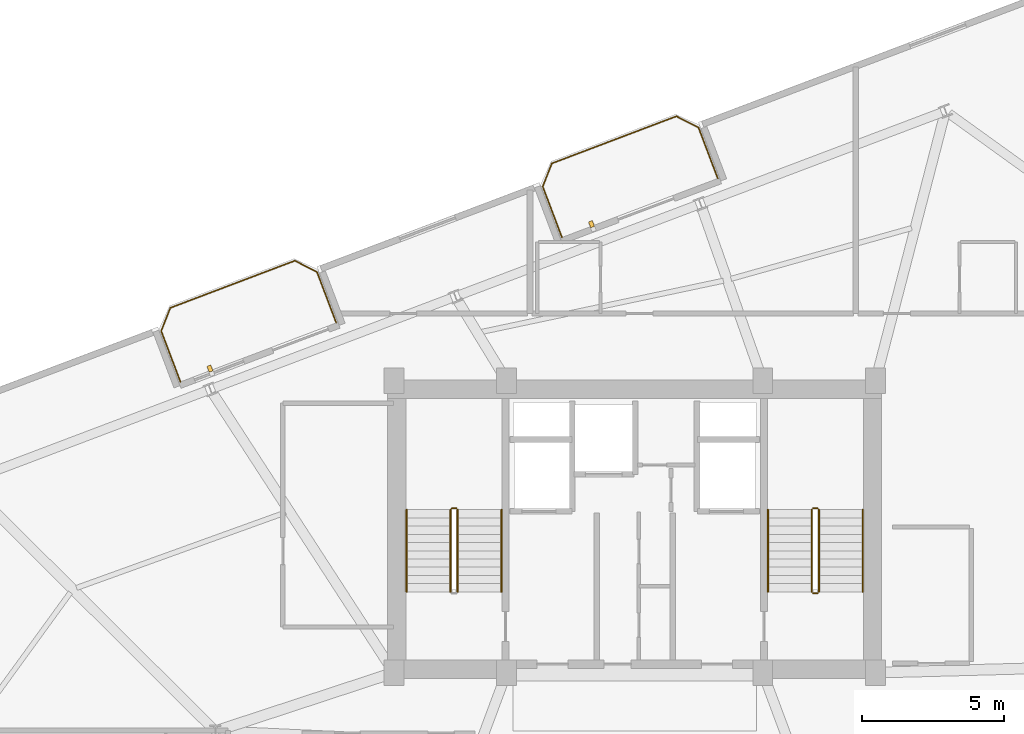
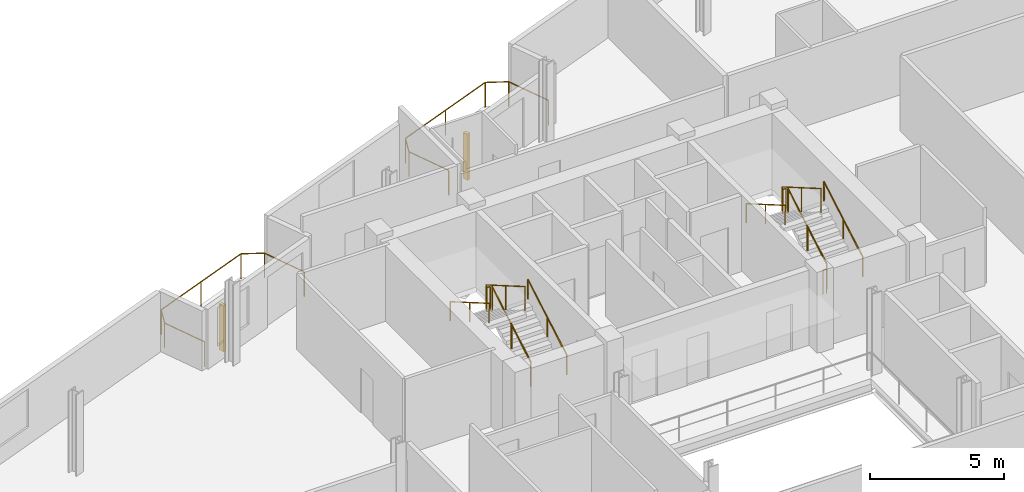
# One storey, part 20 of 20: 13 railings, 2 shading devices.
"""IFC4 building model written with IfcOpenShell, lengths in metres."""

from ifc_helpers import new_model, si_unit, direction, frame, origin, origin_2d, place, context, subcontext, project, spatial, rectangle, circle, extrude, source, transform, mapped, material, type_object, element, save


model = new_model("IFC4")

# Units and contexts
model_context = context("Model", 3, precision=1e-05, world=origin(), true_north=direction((0.0, 1.0)))
body_context = subcontext(model_context, "Body", "Model", "MODEL_VIEW")
ifc_project = project(units=[si_unit("LENGTHUNIT", "METRE"), si_unit("AREAUNIT", "SQUARE_METRE"), si_unit("VOLUMEUNIT", "CUBIC_METRE"), si_unit("PLANEANGLEUNIT", "RADIAN"), si_unit("MASSUNIT", "GRAM", prefix="KILO")], contexts=[model_context])

# Site, building, storey
site_placement = place(None, origin())
site = spatial("IfcSite", under=ifc_project, at=site_placement, CompositionType="ELEMENT")
building_placement = place(site_placement, origin())
building = spatial("IfcBuilding", under=site, at=building_placement, Name="Varnelok Gate Tower", CompositionType="ELEMENT")
storey_placement = place(building_placement, frame((0.0, 0.0, 216.39990234375)))
storey = spatial("IfcBuildingStorey", under=building, at=storey_placement, Name="L55", CompositionType="ELEMENT", Elevation=216.39990234375)

# Railings
ifc_material_1 = material(Name="Low-E Laminated Double Glazing IGU", Category="glass")
railing_type_1 = type_object("IfcRailingType", Name="RL-BALC-1150", PredefinedType="BALUSTRADE", material=ifc_material_1)
railing_1_placement = place(storey_placement, frame((23.166748046875, 39.011474609375, 0.0)))
element("IfcRailing", 1, at=railing_1_placement, inside=storey, type_object=railing_type_1, Name="L55 North Terrace Balustrade 3", PredefinedType="BALUSTRADE", context=body_context, shape_type="SweptSolid", body=[
    extrude(circle(Radius=0.02392578125, at=origin_2d()), frame((0.0, 0.0, 1.1259765625), z_axis=(-0.354159661475, 0.935184973245, 0.0), x_axis=(-0.935184973245, -0.354159661475, 0.0)), (0.0, 0.0, 1.0), 1.919921875),
    extrude(circle(Radius=0.02392578125, at=origin_2d()), frame((-0.679931640625, 1.79541015625, 1.1259765625), z_axis=(0.366495340819, 0.93041988648, 0.0), x_axis=(-0.93041988648, 0.366495340819, 0.0)), (0.0, 0.0, 1.0), 0.8779296875),
    extrude(circle(Radius=0.02392578125, at=origin_2d()), frame((-0.358154296875, 2.6123046875, 1.1259765625), z_axis=(0.935223045203, 0.354059113314, 0.0), x_axis=(-0.354059113314, 0.935223045203, 0.0)), (0.0, 0.0, 1.0), 4.699951171875),
    extrude(circle(Radius=0.02392578125, at=origin_2d()), frame((4.037353515625, 4.2763671875, 1.1259765625), z_axis=(0.89078254773, -0.454429810487, 0.0), x_axis=(0.454429810487, 0.89078254773, 0.0)), (0.0, 0.0, 1.0), 0.8779296875),
    extrude(circle(Radius=0.02392578125, at=origin_2d()), frame((4.8193359375, 3.87744140625, 1.1259765625), z_axis=(0.354006333352, -0.935243025073, 0.0), x_axis=(0.935243025073, 0.354006333352, 0.0)), (0.0, 0.0, 1.0), 1.919921875),
    extrude(circle(Radius=0.02099609375, at=origin_2d()), origin(), (0.0, 0.0, 1.0), 1.101806640625),
    extrude(circle(Radius=0.02099609375, at=origin_2d()), frame((-0.679931640625, 1.79541015625, 0.0)), (0.0, 0.0, 1.0), 1.101806640625),
    extrude(circle(Radius=0.02099609375, at=origin_2d()), frame((-0.358154296875, 2.6123046875, 0.0)), (0.0, 0.0, 1.0), 1.101806640625),
    extrude(circle(Radius=0.02099609375, at=origin_2d()), frame((1.839599609375, 3.4443359375, 0.0)), (0.0, 0.0, 1.0), 1.101806640625),
    extrude(circle(Radius=0.02099609375, at=origin_2d()), frame((4.037353515625, 4.2763671875, 0.0)), (0.0, 0.0, 1.0), 1.101806640625),
    extrude(circle(Radius=0.02099609375, at=origin_2d()), frame((4.8193359375, 3.87744140625, 0.0)), (0.0, 0.0, 1.0), 1.101806640625),
    extrude(circle(Radius=0.02099609375, at=origin_2d()), frame((5.4990234375, 2.081787109375, 0.0)), (0.0, 0.0, 1.0), 1.101806640625),
])
railing_2_placement = place(storey_placement, frame((36.6337890625, 44.10986328125, 0.0)))
element("IfcRailing", 2, at=railing_2_placement, inside=storey, type_object=railing_type_1, Name="L55 North Terrace Balustrade 4", PredefinedType="BALUSTRADE", context=body_context, shape_type="SweptSolid", body=[
    extrude(circle(Radius=0.02392578125, at=origin_2d()), frame((0.0, 0.0, 1.1259765625), z_axis=(-0.354006333352, 0.935243025073, 0.0), x_axis=(-0.935243025073, -0.354006333352, 0.0)), (0.0, 0.0, 1.0), 1.919921875),
    extrude(circle(Radius=0.02392578125, at=origin_2d()), frame((-0.6796875, 1.795654296875, 1.1259765625), z_axis=(0.366254584666, 0.930514685113, 0.0), x_axis=(-0.930514685113, 0.366254584666, 0.0)), (0.0, 0.0, 1.0), 0.8779296875),
    extrude(circle(Radius=0.02392578125, at=origin_2d()), frame((-0.358154296875, 2.612548828125, 1.1259765625), z_axis=(0.935229556479, 0.354041913744, 0.0), x_axis=(-0.354041913744, 0.935229556479, 0.0)), (0.0, 0.0, 1.0), 4.7001953125),
    extrude(circle(Radius=0.02392578125, at=origin_2d()), frame((4.03759765625, 4.276611328125, 1.1259765625), z_axis=(0.890612455555, -0.454763074589, 0.0), x_axis=(0.454763074589, 0.890612455555, 0.0)), (0.0, 0.0, 1.0), 0.877685546875),
    extrude(circle(Radius=0.02392578125, at=origin_2d()), frame((4.8193359375, 3.87744140625, 1.1259765625), z_axis=(0.354159661475, -0.935184973245, 0.0), x_axis=(0.935184973245, 0.354159661475, 0.0)), (0.0, 0.0, 1.0), 1.919921875),
    extrude(circle(Radius=0.02099609375, at=origin_2d()), origin(), (0.0, 0.0, 1.0), 1.101806640625),
    extrude(circle(Radius=0.02099609375, at=origin_2d()), frame((-0.6796875, 1.795654296875, 0.0)), (0.0, 0.0, 1.0), 1.101806640625),
    extrude(circle(Radius=0.02099609375, at=origin_2d()), frame((-0.358154296875, 2.612548828125, 0.0)), (0.0, 0.0, 1.0), 1.101806640625),
    extrude(circle(Radius=0.02099609375, at=origin_2d()), frame((1.83984375, 3.444580078125, 0.0)), (0.0, 0.0, 1.0), 1.101806640625),
    extrude(circle(Radius=0.02099609375, at=origin_2d()), frame((4.03759765625, 4.276611328125, 0.0)), (0.0, 0.0, 1.0), 1.101806640625),
    extrude(circle(Radius=0.02099609375, at=origin_2d()), frame((4.8193359375, 3.87744140625, 0.0)), (0.0, 0.0, 1.0), 1.101806640625),
    extrude(circle(Radius=0.02099609375, at=origin_2d()), frame((5.499267578125, 2.08203125, 0.0)), (0.0, 0.0, 1.0), 1.101806640625),
])
ifc_material_2 = material(Name="Brushed Stainless Steel AISI 316", Category="steel")
railing_type_2 = type_object("IfcRailingType", Name="RL-HANDRAIL-900", PredefinedType="HANDRAIL", material=ifc_material_2)
railing_3_placement = place(storey_placement, frame((34.5, 31.60009765625, 0.168212890625)))
element("IfcRailing", 3, at=railing_3_placement, inside=storey, type_object=railing_type_2, Name="L55 ST-1 stair handrail 1", PredefinedType="HANDRAIL", context=body_context, shape_type="SweptSolid", body=[
    extrude(circle(Radius=0.02392578125, at=origin_2d()), frame((0.0, 0.0, 0.8759765625), z_axis=(0.0, 0.865038774852, 0.501705010941), x_axis=(-1.0, 0.0, 0.0)), (0.0, 0.0, 1.0), 3.352294921875),
    extrude(circle(Radius=0.02099609375, at=origin_2d()), origin(), (0.0, 0.0, 1.0), 0.851806640625),
    extrude(circle(Radius=0.02099609375, at=origin_2d()), frame((0.0, 1.449951171875, 0.8408203125)), (0.0, 0.0, 1.0), 0.851806640625),
    extrude(circle(Radius=0.02099609375, at=origin_2d()), frame((0.0, 2.89990234375, 1.681884765625)), (0.0, 0.0, 1.0), 0.851806640625),
])
railing_4_placement = place(storey_placement, frame((31.14990234375, 34.5, 2.018310546875)))
element("IfcRailing", 4, at=railing_4_placement, inside=storey, type_object=railing_type_2, Name="L55 ST-1 stair handrail 2", PredefinedType="HANDRAIL", context=body_context, shape_type="SweptSolid", body=[
    extrude(circle(Radius=0.02392578125, at=origin_2d()), frame((0.0, 0.0, 0.8759765625), z_axis=(0.0, -0.865038774852, 0.501705010941), x_axis=(1.0, 0.0, 0.0)), (0.0, 0.0, 1.0), 3.352294921875),
    extrude(circle(Radius=0.02099609375, at=origin_2d()), origin(), (0.0, 0.0, 1.0), 0.851806640625),
    extrude(circle(Radius=0.02099609375, at=origin_2d()), frame((0.0, -1.449951171875, 0.8408203125)), (0.0, 0.0, 1.0), 0.851806640625),
    extrude(circle(Radius=0.02099609375, at=origin_2d()), frame((0.0, -2.89990234375, 1.681884765625)), (0.0, 0.0, 1.0), 0.851806640625),
])
railing_5_placement = place(storey_placement, frame((47.25, 31.60009765625, 0.168212890625)))
element("IfcRailing", 5, at=railing_5_placement, inside=storey, type_object=railing_type_2, Name="L55 ST-2 stair handrail 1", PredefinedType="HANDRAIL", context=body_context, shape_type="SweptSolid", body=[
    extrude(circle(Radius=0.02392578125, at=origin_2d()), frame((0.0, 0.0, 0.8759765625), z_axis=(0.0, 0.865038774852, 0.501705010941), x_axis=(-1.0, 0.0, 0.0)), (0.0, 0.0, 1.0), 3.352294921875),
    extrude(circle(Radius=0.02099609375, at=origin_2d()), origin(), (0.0, 0.0, 1.0), 0.851806640625),
    extrude(circle(Radius=0.02099609375, at=origin_2d()), frame((0.0, 1.449951171875, 0.8408203125)), (0.0, 0.0, 1.0), 0.851806640625),
    extrude(circle(Radius=0.02099609375, at=origin_2d()), frame((0.0, 2.89990234375, 1.681884765625)), (0.0, 0.0, 1.0), 0.851806640625),
])
railing_6_placement = place(storey_placement, frame((43.89990234375, 34.5, 2.018310546875)))
element("IfcRailing", 6, at=railing_6_placement, inside=storey, type_object=railing_type_2, Name="L55 ST-2 stair handrail 2", PredefinedType="HANDRAIL", context=body_context, shape_type="SweptSolid", body=[
    extrude(circle(Radius=0.02392578125, at=origin_2d()), frame((0.0, 0.0, 0.8759765625), z_axis=(0.0, -0.865038774852, 0.501705010941), x_axis=(1.0, 0.0, 0.0)), (0.0, 0.0, 1.0), 3.352294921875),
    extrude(circle(Radius=0.02099609375, at=origin_2d()), origin(), (0.0, 0.0, 1.0), 0.851806640625),
    extrude(circle(Radius=0.02099609375, at=origin_2d()), frame((0.0, -1.449951171875, 0.8408203125)), (0.0, 0.0, 1.0), 0.851806640625),
    extrude(circle(Radius=0.02099609375, at=origin_2d()), frame((0.0, -2.89990234375, 1.681884765625)), (0.0, 0.0, 1.0), 0.851806640625),
])
ifc_material_3 = material(Name="Galvanized Steel Grade S350GD", Category="steel")
railing_type_3 = type_object("IfcRailingType", Name="RL-STAIR-GUARD1120", PredefinedType="GUARDRAIL", material=ifc_material_3)
railing_7_placement = place(storey_placement, frame((32.949951171875, 31.60009765625, 0.168212890625)))
element("IfcRailing", 7, at=railing_7_placement, inside=storey, type_object=railing_type_3, Name="L55 ST-1 stair guard 1", PredefinedType="GUARDRAIL", context=body_context, shape_type="SweptSolid", body=[
    extrude(circle(Radius=0.02392578125, at=origin_2d()), frame((0.0, 0.0, 1.09619140625), z_axis=(0.0, 0.865038774852, 0.501705010941), x_axis=(-1.0, 0.0, 0.0)), (0.0, 0.0, 1.0), 3.352294921875),
    extrude(circle(Radius=0.02099609375, at=origin_2d()), origin(), (0.0, 0.0, 1.0), 1.072021484375),
    extrude(circle(Radius=0.02099609375, at=origin_2d()), frame((0.0, 1.449951171875, 0.8408203125)), (0.0, 0.0, 1.0), 1.072021484375),
    extrude(circle(Radius=0.02099609375, at=origin_2d()), frame((0.0, 2.89990234375, 1.681884765625)), (0.0, 0.0, 1.0), 1.072021484375),
])
railing_8_placement = place(storey_placement, frame((32.89990234375, 34.550048828125, 1.85009765625)))
element("IfcRailing", 8, at=railing_8_placement, inside=storey, type_object=railing_type_3, Name="L55 ST-1 stair guard 2", PredefinedType="GUARDRAIL", context=body_context, shape_type="SweptSolid", body=[
    extrude(circle(Radius=0.02392578125, at=origin_2d()), frame((0.0, 0.0, 1.09619140625), z_axis=(-1.0, 0.0, 0.0), x_axis=(0.0, -1.0, 0.0)), (0.0, 0.0, 1.0), 0.14990234375),
    extrude(circle(Radius=0.02099609375, at=origin_2d()), origin(), (0.0, 0.0, 1.0), 1.072021484375),
    extrude(circle(Radius=0.02099609375, at=origin_2d()), frame((-0.14990234375, 0.0, 0.0)), (0.0, 0.0, 1.0), 1.072021484375),
])
railing_9_placement = place(storey_placement, frame((32.699951171875, 34.5, 2.018310546875)))
element("IfcRailing", 9, at=railing_9_placement, inside=storey, type_object=railing_type_3, Name="L55 ST-1 stair guard 3", PredefinedType="GUARDRAIL", context=body_context, shape_type="SweptSolid", body=[
    extrude(circle(Radius=0.02392578125, at=origin_2d()), frame((0.0, 0.0, 1.09619140625), z_axis=(0.0, -0.865038774852, 0.501705010941), x_axis=(1.0, 0.0, 0.0)), (0.0, 0.0, 1.0), 3.352294921875),
    extrude(circle(Radius=0.02099609375, at=origin_2d()), origin(), (0.0, 0.0, 1.0), 1.072021484375),
    extrude(circle(Radius=0.02099609375, at=origin_2d()), frame((0.0, -1.449951171875, 0.8408203125)), (0.0, 0.0, 1.0), 1.072021484375),
    extrude(circle(Radius=0.02099609375, at=origin_2d()), frame((0.0, -2.89990234375, 1.681884765625)), (0.0, 0.0, 1.0), 1.072021484375),
])
railing_10_placement = place(storey_placement, frame((45.699951171875, 31.60009765625, 0.168212890625)))
element("IfcRailing", 10, at=railing_10_placement, inside=storey, type_object=railing_type_3, Name="L55 ST-2 stair guard 1", PredefinedType="GUARDRAIL", context=body_context, shape_type="SweptSolid", body=[
    extrude(circle(Radius=0.02392578125, at=origin_2d()), frame((0.0, 0.0, 1.09619140625), z_axis=(0.0, 0.865038774852, 0.501705010941), x_axis=(-1.0, 0.0, 0.0)), (0.0, 0.0, 1.0), 3.352294921875),
    extrude(circle(Radius=0.02099609375, at=origin_2d()), origin(), (0.0, 0.0, 1.0), 1.072021484375),
    extrude(circle(Radius=0.02099609375, at=origin_2d()), frame((0.0, 1.449951171875, 0.8408203125)), (0.0, 0.0, 1.0), 1.072021484375),
    extrude(circle(Radius=0.02099609375, at=origin_2d()), frame((0.0, 2.89990234375, 1.681884765625)), (0.0, 0.0, 1.0), 1.072021484375),
])
railing_11_placement = place(storey_placement, frame((45.64990234375, 34.550048828125, 1.85009765625)))
element("IfcRailing", 11, at=railing_11_placement, inside=storey, type_object=railing_type_3, Name="L55 ST-2 stair guard 2", PredefinedType="GUARDRAIL", context=body_context, shape_type="SweptSolid", body=[
    extrude(circle(Radius=0.02392578125, at=origin_2d()), frame((0.0, 0.0, 1.09619140625), z_axis=(-1.0, 0.0, 0.0), x_axis=(0.0, -1.0, 0.0)), (0.0, 0.0, 1.0), 0.14990234375),
    extrude(circle(Radius=0.02099609375, at=origin_2d()), origin(), (0.0, 0.0, 1.0), 1.072021484375),
    extrude(circle(Radius=0.02099609375, at=origin_2d()), frame((-0.14990234375, 0.0, 0.0)), (0.0, 0.0, 1.0), 1.072021484375),
])
railing_12_placement = place(storey_placement, frame((45.449951171875, 34.5, 2.018310546875)))
element("IfcRailing", 12, at=railing_12_placement, inside=storey, type_object=railing_type_3, Name="L55 ST-2 stair guard 3", PredefinedType="GUARDRAIL", context=body_context, shape_type="SweptSolid", body=[
    extrude(circle(Radius=0.02392578125, at=origin_2d()), frame((0.0, 0.0, 1.09619140625), z_axis=(0.0, -0.865038774852, 0.501705010941), x_axis=(1.0, 0.0, 0.0)), (0.0, 0.0, 1.0), 3.352294921875),
    extrude(circle(Radius=0.02099609375, at=origin_2d()), origin(), (0.0, 0.0, 1.0), 1.072021484375),
    extrude(circle(Radius=0.02099609375, at=origin_2d()), frame((0.0, -1.449951171875, 0.8408203125)), (0.0, 0.0, 1.0), 1.072021484375),
    extrude(circle(Radius=0.02099609375, at=origin_2d()), frame((0.0, -2.89990234375, 1.681884765625)), (0.0, 0.0, 1.0), 1.072021484375),
])
railing_13_placement = place(storey_placement, frame((45.64990234375, 31.550048828125, 0.0)))
element("IfcRailing", 13, at=railing_13_placement, inside=storey, type_object=railing_type_3, Name="L55 ST-2 stair guard 4", PredefinedType="GUARDRAIL", context=body_context, shape_type="SweptSolid", body=[
    extrude(circle(Radius=0.02392578125, at=origin_2d()), frame((0.0, 0.0, 1.09619140625), z_axis=(-1.0, 0.0, 0.0), x_axis=(0.0, -1.0, 0.0)), (0.0, 0.0, 1.0), 0.14990234375),
    extrude(circle(Radius=0.02099609375, at=origin_2d()), origin(), (0.0, 0.0, 1.0), 1.072021484375),
    extrude(circle(Radius=0.02099609375, at=origin_2d()), frame((-0.14990234375, 0.0, 0.0)), (0.0, 0.0, 1.0), 1.072021484375),
])

# Shading devices
ifc_material_4 = material(Name="Glazed Architectural Terracotta Ceramic", Category="masonry")
shading_device_type = type_object("IfcShadingDeviceType", Name="SHD-TERRA-FIN", PredefinedType="USERDEFINED", material=ifc_material_4)
shared_shape = source(origin(), body_context, "Body", "SweptSolid", [
    extrude(rectangle(XDim=0.139892578125, YDim=0.219970703125, at=origin_2d()), origin(), (0.0, 0.0, 1.0), 2.10009765625),
])
for number, where, z_axis, x_axis, name in (
    (14, (24.2080078125, 39.48046875, 0.10009765625), (0.0, 0.0, 1.0), (0.935221751401, 0.354062530786, 0.0), "L55 Terracotta Ceramic Baguette Sunscreen 3.1"),
    (15, (37.67529296875, 44.5791015625, 0.10009765625), (0.0, 0.0, 1.0), (0.935221751401, 0.354062530786, 0.0), "L55 Terracotta Ceramic Baguette Sunscreen 4.1"),
):
    element("IfcShadingDevice", number, at=place(storey_placement, frame(where, z_axis=z_axis, x_axis=x_axis)), inside=storey, type_object=shading_device_type, Name=name, ObjectType="BAGUETTE", PredefinedType="USERDEFINED", context=body_context, shape_type="MappedRepresentation", body=[
        mapped(shared_shape, transform((0.0, 0.0, 0.0), scale=1.0)),
    ])

save(model, "model.ifc")
